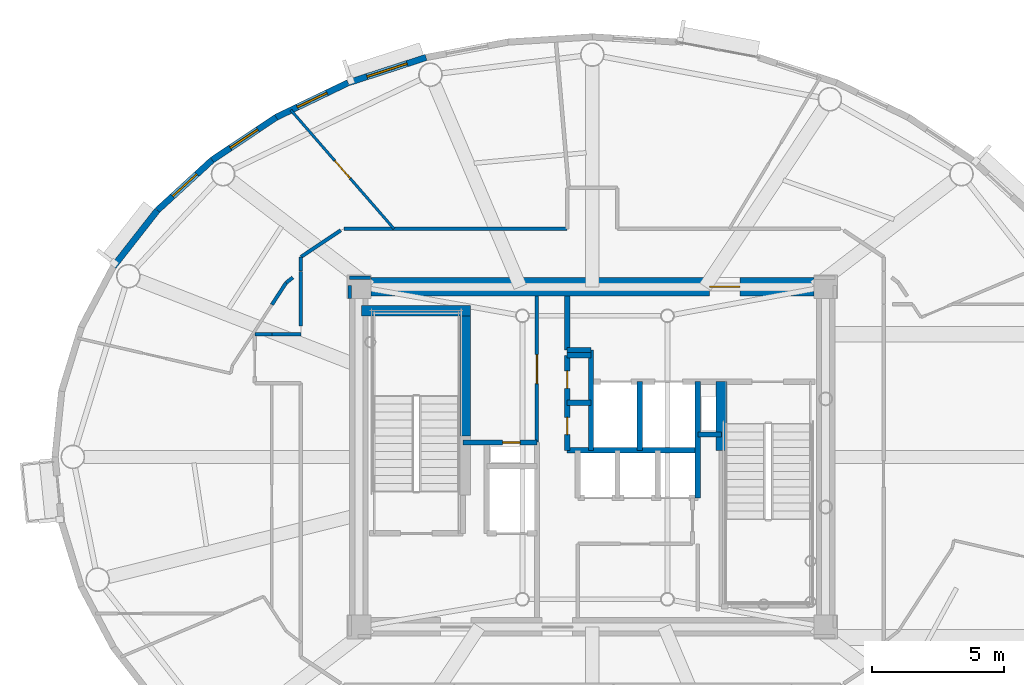
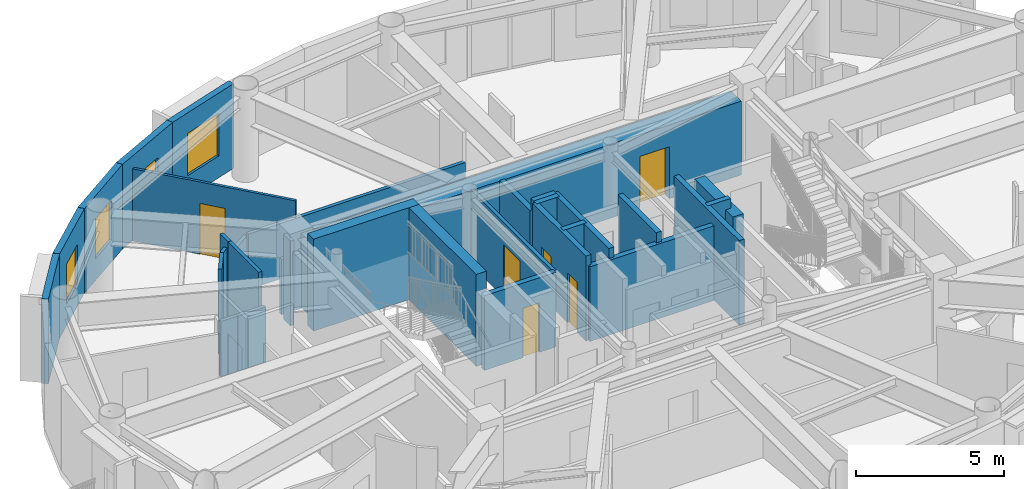
# One storey, part 8 of 16: 32 walls, 6 doors, 4 windows, 10 openings.
"""IFC4 building model written with IfcOpenShell, lengths in metres."""

from ifc_helpers import new_model, si_unit, direction, frame, frame_2d, origin, origin_2d, place, context, subcontext, project, spatial, rectangle, extrude, source, transform, mapped, material, layer, layer_set, type_object, element, fill, save


model = new_model("IFC4")

# Units and contexts
model_context = context("Model", 3, precision=1e-05, world=origin(), true_north=direction((0.0, 1.0)))
body_context = subcontext(model_context, "Body", "Model", "MODEL_VIEW")
ifc_project = project(units=[si_unit("LENGTHUNIT", "METRE"), si_unit("AREAUNIT", "SQUARE_METRE"), si_unit("VOLUMEUNIT", "CUBIC_METRE"), si_unit("PLANEANGLEUNIT", "RADIAN"), si_unit("MASSUNIT", "GRAM", prefix="KILO")], contexts=[model_context])

# Site, building, storey
site_placement = place(None, origin())
site = spatial("IfcSite", under=ifc_project, at=site_placement, CompositionType="ELEMENT")
building_placement = place(site_placement, origin())
building = spatial("IfcBuilding", under=site, at=building_placement, Name="Linh Dai School and Residence Tower", CompositionType="ELEMENT")
storey_placement = place(building_placement, frame((0.0, 0.0, 343.0)))
storey = spatial("IfcBuildingStorey", under=building, at=storey_placement, Name="L85", CompositionType="ELEMENT", Elevation=343.0)

# Wall, opening, window
ifc_material_1 = material(Name="Precast Concrete B45 (C35/45)", Category="concrete")
ifc_layer_1 = layer(ifc_material_1, 0.239990234375)
ifc_layer_set_1 = layer_set([ifc_layer_1], Name="Precast Concrete B45 (C35/45)")
wall_type_1 = type_object("IfcWallType", Name="EW-TC-240", PredefinedType="SOLIDWALL", material=ifc_layer_set_1)
wall_1_placement = place(storey_placement, frame((26.739501953125, 41.18896484375, 0.0), z_axis=(0.0, 0.0, 1.0), x_axis=(0.951212850731, 0.308535431682, 0.0)))
wall_1 = element("IfcWall", 1, at=wall_1_placement, inside=storey, type_object=wall_type_1, Name="L85 Terracotta Exterior Wall 13", PredefinedType="SOLIDWALL", context=body_context, shape_type="SweptSolid", body=[
    extrude(rectangle(XDim=3.108154296875, YDim=0.239990234375, at=frame_2d((1.55419921875, 0.0))), origin(), (0.0, 0.0, 1.0), 3.5),
])
opening_1_placement = place(wall_1_placement, frame((0.754150390625, 0.0, 0.89990234375)))
opening_1 = element("IfcOpeningElement", 2, at=opening_1_placement, cuts=wall_1, Name="Opening W2", PredefinedType="OPENING", context=body_context, shape_type="SweptSolid", body=[
    extrude(rectangle(XDim=1.60009765625, YDim=1.75, at=origin_2d()), frame((0.800048828125, 0.1298828125, 0.875), z_axis=(0.0, -1.0, 0.0), x_axis=(1.0, 0.0, 0.0)), (0.0, 0.0, 1.0), 0.260009765625),
])
ifc_material_2 = material(Name="Double Low-E Insulated Glazing", Category="glass")
window_type_1 = type_object("IfcWindowType", Name="WN-RES-1600x1750", PartitioningType="DOUBLE_PANEL_VERTICAL", PredefinedType="WINDOW", material=ifc_material_2)
shared_shape_1 = source(origin(), body_context, "Body", "SweptSolid", [
    extrude(rectangle(XDim=1.60009765625, YDim=1.75, at=origin_2d()), frame((0.800048828125, 0.030029296875, 0.875), z_axis=(0.0, -1.0, 0.0), x_axis=(1.0, 0.0, 0.0)), (0.0, 0.0, 1.0), 0.06005859375),
])
window_1_placement = place(opening_1_placement, origin())
window_1 = element("IfcWindow", 3, at=window_1_placement, inside=storey, type_object=window_type_1, Name="L85 Exterior Window 13.1", OverallHeight=1.75, OverallWidth=1.60009765625, PartitioningType="DOUBLE_PANEL_VERTICAL", PredefinedType="WINDOW", context=body_context, shape_type="MappedRepresentation", body=[
    mapped(shared_shape_1, transform((0.0, 0.0, 0.0), x_axis=(1.0, 0.0, 0.0), y_axis=(0.0, 1.0, 0.0), z_axis=(0.0, 0.0, 1.0), scale=1.0)),
])
fill(opening_1, window_1)

wall_2_placement = place(storey_placement, frame((24.01220703125, 39.880126953125, 0.0), z_axis=(0.0, 0.0, 1.0), x_axis=(0.901557057889, 0.432660226241, 0.0)))
wall_2 = element("IfcWall", 4, at=wall_2_placement, inside=storey, type_object=wall_type_1, Name="L85 Terracotta Exterior Wall 14", PredefinedType="SOLIDWALL", context=body_context, shape_type="SweptSolid", body=[
    extrude(rectangle(XDim=3.025146484375, YDim=0.239990234375, at=frame_2d((1.5126953125, 0.0))), origin(), (0.0, 0.0, 1.0), 3.5),
])
opening_2_placement = place(wall_2_placement, frame((0.8876953125, 0.0, 0.89990234375)))
opening_2 = element("IfcOpeningElement", 5, at=opening_2_placement, cuts=wall_2, Name="Opening W3", PredefinedType="OPENING", context=body_context, shape_type="SweptSolid", body=[
    extrude(rectangle(XDim=1.25, YDim=1.64990234375, at=origin_2d()), frame((0.625, 0.1298828125, 0.824951171875), z_axis=(0.0, -1.0, 0.0), x_axis=(1.0, 0.0, 0.0)), (0.0, 0.0, 1.0), 0.260009765625),
])
window_type_2 = type_object("IfcWindowType", Name="WN-RES-1250x1650", PartitioningType="SINGLE_PANEL", PredefinedType="WINDOW", material=ifc_material_2)
shared_shape_2 = source(origin(), body_context, "Body", "SweptSolid", [
    extrude(rectangle(XDim=1.25, YDim=1.64990234375, at=origin_2d()), frame((0.625, 0.030029296875, 0.824951171875), z_axis=(0.0, -1.0, 0.0), x_axis=(1.0, 0.0, 0.0)), (0.0, 0.0, 1.0), 0.06005859375),
])
window_2_placement = place(opening_2_placement, origin())
window_2 = element("IfcWindow", 6, at=window_2_placement, inside=storey, type_object=window_type_2, Name="L85 Exterior Window 14.1", OverallHeight=1.64990234375, OverallWidth=1.25, PartitioningType="SINGLE_PANEL", PredefinedType="WINDOW", context=body_context, shape_type="MappedRepresentation", body=[
    mapped(shared_shape_2, transform((0.0, 0.0, 0.0), x_axis=(1.0, 0.0, 0.0), y_axis=(0.0, 1.0, 0.0), z_axis=(0.0, 0.0, 1.0), scale=1.0)),
])
fill(opening_2, window_2)

wall_3_placement = place(storey_placement, frame((21.581298828125, 38.254150390625, 0.0), z_axis=(0.0, 0.0, 1.0), x_axis=(0.831201688654, 0.555970999944, 0.0)))
wall_3 = element("IfcWall", 7, at=wall_3_placement, inside=storey, type_object=wall_type_1, Name="L85 Terracotta Exterior Wall 15", PredefinedType="SOLIDWALL", context=body_context, shape_type="SweptSolid", body=[
    extrude(rectangle(XDim=2.924560546875, YDim=0.239990234375, at=frame_2d((1.46240234375, 0.0))), origin(), (0.0, 0.0, 1.0), 3.5),
])
opening_3_placement = place(wall_3_placement, frame((0.83740234375, 0.0, 0.89990234375)))
opening_3 = element("IfcOpeningElement", 8, at=opening_3_placement, cuts=wall_3, Name="Opening W3", PredefinedType="OPENING", context=body_context, shape_type="SweptSolid", body=[
    extrude(rectangle(XDim=1.25, YDim=1.64990234375, at=origin_2d()), frame((0.625, 0.1298828125, 0.824951171875), z_axis=(0.0, -1.0, 0.0), x_axis=(1.0, 0.0, 0.0)), (0.0, 0.0, 1.0), 0.260009765625),
])
window_3_placement = place(opening_3_placement, origin())
window_3 = element("IfcWindow", 9, at=window_3_placement, inside=storey, type_object=window_type_2, Name="L85 Exterior Window 15.1", OverallHeight=1.64990234375, OverallWidth=1.25, PartitioningType="SINGLE_PANEL", PredefinedType="WINDOW", context=body_context, shape_type="MappedRepresentation", body=[
    mapped(shared_shape_2, transform((0.0, 0.0, 0.0), x_axis=(1.0, 0.0, 0.0), y_axis=(0.0, 1.0, 0.0), z_axis=(0.0, 0.0, 1.0), scale=1.0)),
])
fill(opening_3, window_3)

wall_4_placement = place(storey_placement, frame((19.5068359375, 36.351806640625, 0.0), z_axis=(0.0, 0.0, 1.0), x_axis=(0.737020907932, 0.675869944051, 0.0)))
wall_4 = element("IfcWall", 10, at=wall_4_placement, inside=storey, type_object=wall_type_1, Name="L85 Terracotta Exterior Wall 16", PredefinedType="SOLIDWALL", context=body_context, shape_type="SweptSolid", body=[
    extrude(rectangle(XDim=2.814697265625, YDim=0.239990234375, at=frame_2d((1.4072265625, 0.0))), origin(), (0.0, 0.0, 1.0), 3.5),
])
opening_4_placement = place(wall_4_placement, frame((0.78271484375, 0.0, 0.89990234375)))
opening_4 = element("IfcOpeningElement", 11, at=opening_4_placement, cuts=wall_4, Name="Opening W3", PredefinedType="OPENING", context=body_context, shape_type="SweptSolid", body=[
    extrude(rectangle(XDim=1.25, YDim=1.64990234375, at=origin_2d()), frame((0.625, 0.1298828125, 0.824951171875), z_axis=(0.0, -1.0, 0.0), x_axis=(1.0, 0.0, 0.0)), (0.0, 0.0, 1.0), 0.260009765625),
])
window_4_placement = place(opening_4_placement, origin())
window_4 = element("IfcWindow", 12, at=window_4_placement, inside=storey, type_object=window_type_2, Name="L85 Exterior Window 16.1", OverallHeight=1.64990234375, OverallWidth=1.25, PartitioningType="SINGLE_PANEL", PredefinedType="WINDOW", context=body_context, shape_type="MappedRepresentation", body=[
    mapped(shared_shape_2, transform((0.0, 0.0, 0.0), x_axis=(1.0, 0.0, 0.0), y_axis=(0.0, 1.0, 0.0), z_axis=(0.0, 0.0, 1.0), scale=1.0)),
])
fill(opening_4, window_4)

# Walls
wall_5_placement = place(storey_placement, frame((17.839111328125, 34.220703125, 0.0), z_axis=(0.0, 0.0, 1.0), x_axis=(0.616286367698, 0.78752213492, 0.0)))
element("IfcWall", 13, at=wall_5_placement, inside=storey, type_object=wall_type_1, Name="L85 Terracotta Exterior Wall 17", PredefinedType="SOLIDWALL", context=body_context, shape_type="SweptSolid", body=[
    extrude(rectangle(XDim=2.7060546875, YDim=0.239990234375, at=frame_2d((1.35302734375, 0.0))), origin(), (0.0, 0.0, 1.0), 3.5),
])
ifc_material_3 = material(Name="Autoclaved Aerated Concrete Blockwork", Category="masonry")
ifc_layer_2 = layer(ifc_material_3, 0.135009765625)
ifc_layer_set_2 = layer_set([ifc_layer_2], Name="Autoclaved Aerated Concrete Blockwork")
wall_type_2 = type_object("IfcWallType", Name="IW-CORR-135-EI90", PredefinedType="PARTITIONING", material=ifc_layer_set_2)
wall_6_placement = place(storey_placement, frame((23.199951171875, 31.64990234375, 0.0), z_axis=(0.0, 0.0, 1.0), x_axis=(1.0, 0.0, 0.0)))
element("IfcWall", 14, at=wall_6_placement, inside=storey, type_object=wall_type_2, Name="L85 Interior Partition Wall 008", PredefinedType="PARTITIONING", context=body_context, shape_type="SweptSolid", body=[
    extrude(rectangle(XDim=0.64599609375, YDim=0.135009765625, at=frame_2d((0.322998046875, 0.0))), origin(), (0.0, 0.0, 1.0), 2.284912109375),
])
wall_7_placement = place(storey_placement, frame((24.949951171875, 34.0439453125, 0.0), z_axis=(0.0, 0.0, 1.0), x_axis=(0.0, 1.0, 0.0)))
element("IfcWall", 15, at=wall_7_placement, inside=storey, type_object=wall_type_2, Name="L85 Interior Partition Wall 015", PredefinedType="PARTITIONING", context=body_context, shape_type="SweptSolid", body=[
    extrude(rectangle(XDim=0.53857421875, YDim=0.135009765625, at=frame_2d((0.269287109375, 0.0))), origin(), (0.0, 0.0, 1.0), 3.5),
])
wall_8_placement = place(storey_placement, frame((24.949951171875, 34.58251953125, 0.0), z_axis=(0.0, 0.0, 1.0), x_axis=(0.831180227396, 0.556003084151, 0.0)))
element("IfcWall", 16, at=wall_8_placement, inside=storey, type_object=wall_type_2, Name="L85 Interior Partition Wall 016", PredefinedType="PARTITIONING", context=body_context, shape_type="SweptSolid", body=[
    extrude(rectangle(XDim=1.815185546875, YDim=0.135009765625, at=frame_2d((0.90771484375, 0.0))), origin(), (0.0, 0.0, 1.0), 2.284912109375),
])
wall_9_placement = place(storey_placement, frame((26.580078125, 35.64990234375, 0.0), z_axis=(0.0, 0.0, 1.0), x_axis=(1.0, 0.0, 0.0)))
element("IfcWall", 17, at=wall_9_placement, inside=storey, type_object=wall_type_2, Name="L85 Interior Partition Wall 018", PredefinedType="PARTITIONING", context=body_context, shape_type="SweptSolid", body=[
    extrude(rectangle(XDim=8.469970703125, YDim=0.135009765625, at=frame_2d((4.23486328125, 0.0))), origin(), (0.0, 0.0, 1.0), 2.284912109375),
])

# Wall, opening, door
wall_10_placement = place(storey_placement, frame((33.89990234375, 27.56005859375, 0.0), z_axis=(0.0, 0.0, 1.0), x_axis=(0.0, 1.0, 0.0)))
wall_10 = element("IfcWall", 18, at=wall_10_placement, inside=storey, type_object=wall_type_2, Name="L85 Interior Partition Wall 027", PredefinedType="PARTITIONING", context=body_context, shape_type="SweptSolid", body=[
    extrude(rectangle(XDim=5.5400390625, YDim=0.135009765625, at=frame_2d((2.77001953125, 0.0))), origin(), (0.0, 0.0, 1.0), 3.0849609375),
])
opening_5_placement = place(wall_10_placement, frame((2.219970703125, 0.0, 0.0)))
opening_5 = element("IfcOpeningElement", 19, at=opening_5_placement, cuts=wall_10, Name="Opening D07", PredefinedType="OPENING", context=body_context, shape_type="SweptSolid", body=[
    extrude(rectangle(XDim=1.10009765625, YDim=2.14990234375, at=origin_2d()), frame((0.550048828125, 0.07763671875, 1.074951171875), z_axis=(0.0, -1.0, 0.0), x_axis=(1.0, 0.0, 0.0)), (0.0, 0.0, 1.0), 0.155029296875),
])
ifc_material_4 = material(Name="Fire-Rated Louvred Steel Plant Door", Category="steel")
door_type_1 = type_object("IfcDoorType", Name="DR-PLT-1100x2150-FD60S", OperationType="NOTDEFINED", PredefinedType="DOOR", material=ifc_material_4)
shared_shape_3 = source(origin(), body_context, "Body", "SweptSolid", [
    extrude(rectangle(XDim=1.10009765625, YDim=2.14990234375, at=origin_2d()), frame((0.550048828125, 0.02490234375, 1.074951171875), z_axis=(0.0, -1.0, 0.0), x_axis=(1.0, 0.0, 0.0)), (0.0, 0.0, 1.0), 0.050048828125),
])
door_1_placement = place(opening_5_placement, origin())
door_1 = element("IfcDoor", 20, at=door_1_placement, inside=storey, type_object=door_type_1, Name="L85 High-Zone Housekeeping Suite Door", OperationType="SINGLE_SWING_RIGHT", OverallHeight=2.14990234375, OverallWidth=1.10009765625, PredefinedType="DOOR", context=body_context, shape_type="MappedRepresentation", body=[
    mapped(shared_shape_3, transform((0.0, 0.0, 0.0), x_axis=(1.0, 0.0, 0.0), y_axis=(0.0, 1.0, 0.0), z_axis=(0.0, 0.0, 1.0), scale=1.0)),
])
fill(opening_5, door_1)

# Walls
wall_11_placement = place(storey_placement, frame((23.85595703125, 31.64990234375, 0.0), z_axis=(0.0, 0.0, 1.0), x_axis=(1.0, 0.0, 0.0)))
element("IfcWall", 21, at=wall_11_placement, inside=storey, type_object=wall_type_2, Name="L85 Interior Partition Wall 070", PredefinedType="PARTITIONING", context=body_context, shape_type="SweptSolid", body=[
    extrude(rectangle(XDim=1.093994140625, YDim=0.135009765625, at=frame_2d((0.546875, 0.0))), origin(), (0.0, 0.0, 1.0), 2.284912109375),
])
wall_12_placement = place(storey_placement, frame((24.949951171875, 31.95751953125, 0.0), z_axis=(0.0, 0.0, 1.0), x_axis=(0.0, 1.0, 0.0)))
element("IfcWall", 22, at=wall_12_placement, inside=storey, type_object=wall_type_2, Name="L85 Interior Partition Wall 071", PredefinedType="PARTITIONING", context=body_context, shape_type="SweptSolid", body=[
    extrude(rectangle(XDim=2.076416015625, YDim=0.135009765625, at=frame_2d((1.0380859375, 0.0))), origin(), (0.0, 0.0, 1.0), 3.5),
])
wall_13_placement = place(storey_placement, frame((27.590087890625, 33.800048828125, 0.0), z_axis=(0.0, 0.0, 1.0), x_axis=(-1.0, 0.0, 0.0)))
element("IfcWall", 23, at=wall_13_placement, inside=storey, type_object=wall_type_2, Name="L85 Interior Partition Wall 074", PredefinedType="PARTITIONING", context=body_context, shape_type="SweptSolid", body=[
    extrude(rectangle(XDim=0.7900390625, YDim=0.135009765625, at=frame_2d((0.39501953125, 0.0))), origin(), (0.0, 0.0, 1.0), 2.284912109375),
])
wall_14_placement = place(storey_placement, frame((26.800048828125, 33.492431640625, 0.0), z_axis=(0.0, 0.0, 1.0), x_axis=(0.0, -1.0, 0.0)))
element("IfcWall", 24, at=wall_14_placement, inside=storey, type_object=wall_type_2, Name="L85 Interior Partition Wall 075", PredefinedType="PARTITIONING", context=body_context, shape_type="SweptSolid", body=[
    extrude(rectangle(XDim=0.482421875, YDim=0.135009765625, at=frame_2d((0.2412109375, 0.0))), origin(), (0.0, 0.0, 1.0), 3.5),
])
wall_15_placement = place(storey_placement, frame((24.642578125, 33.802978515625, 0.0), z_axis=(0.0, 0.0, 1.0), x_axis=(-0.787376183758, -0.616472826043, 0.0)))
element("IfcWall", 25, at=wall_15_placement, inside=storey, type_object=wall_type_2, Name="L85 Interior Partition Wall 081", PredefinedType="PARTITIONING", context=body_context, shape_type="SweptSolid", body=[
    extrude(rectangle(XDim=0.320068359375, YDim=0.135009765625, at=frame_2d((0.16015625, 0.0))), origin(), (0.0, 0.0, 1.0), 3.5),
])
wall_16_placement = place(storey_placement, frame((24.390625, 33.605712890625, 0.0), z_axis=(0.0, 0.0, 1.0), x_axis=(-0.545318185568, -0.838229131258, 0.0)))
element("IfcWall", 26, at=wall_16_placement, inside=storey, type_object=wall_type_2, Name="L85 Interior Partition Wall 082", PredefinedType="PARTITIONING", context=body_context, shape_type="SweptSolid", body=[
    extrude(rectangle(XDim=0.988525390625, YDim=0.135009765625, at=frame_2d((0.494140625, 0.0))), origin(), (0.0, 0.0, 1.0), 3.5),
])

# Wall, opening, door
ifc_material_5 = material(Name="Concrete B45 (C35/45)", Category="concrete")
ifc_layer_3 = layer(ifc_material_5, 0.199951171875)
ifc_layer_set_3 = layer_set([ifc_layer_3], Name="Concrete B45 (C35/45)")
wall_type_3 = type_object("IfcWallType", Name="IW-SHAFT-200-EI120", PredefinedType="PARTITIONING", material=ifc_layer_set_3)
wall_17_placement = place(storey_placement, frame((31.10009765625, 27.550048828125, 0.0), z_axis=(0.0, 0.0, 1.0), x_axis=(1.0, 0.0, 0.0)))
wall_17 = element("IfcWall", 27, at=wall_17_placement, inside=storey, type_object=wall_type_3, Name="L85 Interior Partition Wall 022", PredefinedType="PARTITIONING", context=body_context, shape_type="SweptSolid", body=[
    extrude(rectangle(XDim=2.7998046875, YDim=0.199951171875, at=frame_2d((1.39990234375, 0.0))), origin(), (0.0, 0.0, 1.0), 3.0849609375),
])
opening_6_placement = place(wall_17_placement, frame((1.5, 0.0, 0.0)))
opening_6 = element("IfcOpeningElement", 28, at=opening_6_placement, cuts=wall_17, Name="Opening AD1", PredefinedType="OPENING", context=body_context, shape_type="SweptSolid", body=[
    extrude(rectangle(XDim=0.659912109375, YDim=2.050048828125, at=origin_2d()), frame((0.330078125, 0.10986328125, 1.02490234375), z_axis=(0.0, -1.0, 0.0), x_axis=(1.0, 0.0, 0.0)), (0.0, 0.0, 1.0), 0.219970703125),
])
ifc_material_6 = material(Name="Fire-Rated Steel Riser Access Door", Category="steel")
door_type_2 = type_object("IfcDoorType", Name="DR-ACC-660x2050-FD90S", OperationType="NOTDEFINED", PredefinedType="USERDEFINED", material=ifc_material_6)
shared_shape_4 = source(origin(), body_context, "Body", "SweptSolid", [
    extrude(rectangle(XDim=0.659912109375, YDim=2.050048828125, at=origin_2d()), frame((0.330078125, 0.02490234375, 1.02490234375), z_axis=(0.0, -1.0, 0.0), x_axis=(1.0, 0.0, 0.0)), (0.0, 0.0, 1.0), 0.050048828125),
])
door_2_placement = place(opening_6_placement, origin())
door_2 = element("IfcDoor", 29, at=door_2_placement, inside=storey, type_object=door_type_2, Name="L85 Main Electrical Riser Access Door", ObjectType="ACCESS DOOR", OperationType="SINGLE_SWING_RIGHT", OverallHeight=2.050048828125, OverallWidth=0.659912109375, PredefinedType="USERDEFINED", context=body_context, shape_type="MappedRepresentation", body=[
    mapped(shared_shape_4, transform((0.0, 0.0, 0.0), x_axis=(1.0, 0.0, 0.0), y_axis=(0.0, 1.0, 0.0), z_axis=(0.0, 0.0, 1.0), scale=1.0)),
])
fill(opening_6, door_2)

# Wall, openings, doors
wall_18_placement = place(storey_placement, frame((35.050048828125, 27.25, 0.0), z_axis=(0.0, 0.0, 1.0), x_axis=(0.0, 1.0, 0.0)))
wall_18 = element("IfcWall", 30, at=wall_18_placement, inside=storey, type_object=wall_type_3, Name="L85 Interior Partition Wall 029", PredefinedType="PARTITIONING", context=body_context, shape_type="SweptSolid", body=[
    extrude(rectangle(XDim=3.60009765625, YDim=0.199951171875, at=frame_2d((1.800048828125, 0.0))), origin(), (0.0, 0.0, 1.0), 3.5),
])
opening_7_placement = place(wall_18_placement, frame((0.590087890625, 0.0, 0.0)))
opening_7 = element("IfcOpeningElement", 31, at=opening_7_placement, cuts=wall_18, Name="Opening AD1", PredefinedType="OPENING", context=body_context, shape_type="SweptSolid", body=[
    extrude(rectangle(XDim=0.659912109375, YDim=2.050048828125, at=origin_2d()), frame((0.330078125, 0.10986328125, 1.02490234375), z_axis=(0.0, -1.0, 0.0), x_axis=(1.0, 0.0, 0.0)), (0.0, 0.0, 1.0), 0.219970703125),
])
opening_8_placement = place(wall_18_placement, frame((2.35009765625, 0.0, 0.0)))
opening_8 = element("IfcOpeningElement", 32, at=opening_8_placement, cuts=wall_18, Name="Opening AD1", PredefinedType="OPENING", context=body_context, shape_type="SweptSolid", body=[
    extrude(rectangle(XDim=0.659912109375, YDim=2.050048828125, at=origin_2d()), frame((0.330078125, 0.10986328125, 1.02490234375), z_axis=(0.0, -1.0, 0.0), x_axis=(1.0, 0.0, 0.0)), (0.0, 0.0, 1.0), 0.219970703125),
])
door_3_placement = place(opening_7_placement, origin())
door_3 = element("IfcDoor", 33, at=door_3_placement, inside=storey, type_object=door_type_2, Name="L85 Telecom and Data Riser Access Door", ObjectType="ACCESS DOOR", OperationType="SINGLE_SWING_LEFT", OverallHeight=2.050048828125, OverallWidth=0.659912109375, PredefinedType="USERDEFINED", context=body_context, shape_type="MappedRepresentation", body=[
    mapped(shared_shape_4, transform((0.0, 0.0, 0.0), x_axis=(1.0, 0.0, 0.0), y_axis=(0.0, 1.0, 0.0), z_axis=(0.0, 0.0, 1.0), scale=1.0)),
])
fill(opening_7, door_3)
door_4_placement = place(opening_8_placement, origin())
door_4 = element("IfcDoor", 34, at=door_4_placement, inside=storey, type_object=door_type_2, Name="L85 Mechanical and Plumbing Riser Access Door", ObjectType="ACCESS DOOR", OperationType="SINGLE_SWING_RIGHT", OverallHeight=2.050048828125, OverallWidth=0.659912109375, PredefinedType="USERDEFINED", context=body_context, shape_type="MappedRepresentation", body=[
    mapped(shared_shape_4, transform((0.0, 0.0, 0.0), x_axis=(1.0, 0.0, 0.0), y_axis=(0.0, 1.0, 0.0), z_axis=(0.0, 0.0, 1.0), scale=1.0)),
])
fill(opening_8, door_4)

# Walls
wall_19_placement = place(storey_placement, frame((35.050048828125, 27.25, 0.0), z_axis=(0.0, 0.0, 1.0), x_axis=(1.0, 0.0, 0.0)))
element("IfcWall", 35, at=wall_19_placement, inside=storey, type_object=wall_type_3, Name="L85 Interior Partition Wall 030", PredefinedType="PARTITIONING", context=body_context, shape_type="SweptSolid", body=[
    extrude(rectangle(XDim=4.949951171875, YDim=0.199951171875, at=frame_2d((2.47509765625, 0.0))), origin(), (0.0, 0.0, 1.0), 3.0849609375),
])
for number, where, z_axis, x_axis, name in (
    (36, (35.050048828125, 29.050048828125, 0.0), (0.0, 0.0, 1.0), (1.0, 0.0, 0.0), "L85 Interior Partition Wall 031"),
    (37, (35.050048828125, 30.85009765625, 0.0), (0.0, 0.0, 1.0), (1.0, 0.0, 0.0), "L85 Interior Partition Wall 032"),
):
    element("IfcWall", number, at=place(storey_placement, frame(where, z_axis=z_axis, x_axis=x_axis)), inside=storey, type_object=wall_type_3, Name=name, PredefinedType="PARTITIONING", context=body_context, shape_type="SweptSolid", body=[
        extrude(rectangle(XDim=0.89990234375, YDim=0.199951171875, at=frame_2d((0.449951171875, 0.0))), origin(), (0.0, 0.0, 1.0), 3.5),
    ])
wall_20_placement = place(storey_placement, frame((35.050048828125, 31.050048828125, 0.0), z_axis=(0.0, 0.0, 1.0), x_axis=(0.0, 1.0, 0.0)))
element("IfcWall", 38, at=wall_20_placement, inside=storey, type_object=wall_type_3, Name="L85 Interior Partition Wall 033", PredefinedType="PARTITIONING", context=body_context, shape_type="SweptSolid", body=[
    extrude(rectangle(XDim=2.050048828125, YDim=0.199951171875, at=frame_2d((1.02490234375, 0.0))), origin(), (0.0, 0.0, 1.0), 3.0849609375),
])
wall_21_placement = place(storey_placement, frame((35.050048828125, 31.050048828125, 0.0), z_axis=(0.0, 0.0, 1.0), x_axis=(1.0, 0.0, 0.0)))
element("IfcWall", 39, at=wall_21_placement, inside=storey, type_object=wall_type_3, Name="L85 Interior Partition Wall 034", PredefinedType="PARTITIONING", context=body_context, shape_type="SweptSolid", body=[
    extrude(rectangle(XDim=0.89990234375, YDim=0.199951171875, at=frame_2d((0.449951171875, 0.0))), origin(), (0.0, 0.0, 1.0), 3.5),
])
wall_22_placement = place(storey_placement, frame((35.949951171875, 27.25, 0.0), z_axis=(0.0, 0.0, 1.0), x_axis=(0.0, 1.0, 0.0)))
element("IfcWall", 40, at=wall_22_placement, inside=storey, type_object=wall_type_3, Name="L85 Interior Partition Wall 041", PredefinedType="PARTITIONING", context=body_context, shape_type="SweptSolid", body=[
    extrude(rectangle(XDim=3.800048828125, YDim=0.199951171875, at=frame_2d((1.89990234375, 0.0))), origin(), (0.0, 0.0, 1.0), 3.5),
])
wall_23_placement = place(storey_placement, frame((37.800048828125, 27.25, 0.0), z_axis=(0.0, 0.0, 1.0), x_axis=(0.0, 1.0, 0.0)))
element("IfcWall", 41, at=wall_23_placement, inside=storey, type_object=wall_type_3, Name="L85 Interior Partition Wall 047", PredefinedType="PARTITIONING", context=body_context, shape_type="SweptSolid", body=[
    extrude(rectangle(XDim=2.60009765625, YDim=0.199951171875, at=frame_2d((1.300048828125, 0.0))), origin(), (0.0, 0.0, 1.0), 3.5),
])
wall_24_placement = place(storey_placement, frame((40.0, 25.449951171875, 0.0), z_axis=(0.0, 0.0, 1.0), x_axis=(0.0, 1.0, 0.0)))
element("IfcWall", 42, at=wall_24_placement, inside=storey, type_object=wall_type_3, Name="L85 Interior Partition Wall 050", PredefinedType="PARTITIONING", context=body_context, shape_type="SweptSolid", body=[
    extrude(rectangle(XDim=4.400146484375, YDim=0.199951171875, at=frame_2d((2.2001953125, 0.0))), origin(), (0.0, 0.0, 1.0), 3.5),
])
wall_25_placement = place(storey_placement, frame((40.0, 27.85009765625, 0.0), z_axis=(0.0, 0.0, 1.0), x_axis=(1.0, 0.0, 0.0)))
element("IfcWall", 43, at=wall_25_placement, inside=storey, type_object=wall_type_3, Name="L85 Interior Partition Wall 051", PredefinedType="PARTITIONING", context=body_context, shape_type="SweptSolid", body=[
    extrude(rectangle(XDim=0.89990234375, YDim=0.199951171875, at=frame_2d((0.449951171875, 0.0))), origin(), (0.0, 0.0, 1.0), 3.5),
])

# Wall, opening, door
ifc_material_7 = material(Name="Gypsum Plasterboard Acoustic Stud Partition", Category="masonry")
ifc_layer_4 = layer(ifc_material_7, 0.10009765625)
ifc_layer_set_4 = layer_set([ifc_layer_4], Name="Gypsum Plasterboard Acoustic Stud Partition")
wall_type_4 = type_object("IfcWallType", Name="IW-UNIT-100", PredefinedType="PARTITIONING", material=ifc_layer_set_4)
wall_26_placement = place(storey_placement, frame((24.567138671875, 40.152099609375, 0.0), z_axis=(0.0, 0.0, 1.0), x_axis=(0.656046983359, -0.754720051162, 0.0)))
wall_26 = element("IfcWall", 44, at=wall_26_placement, inside=storey, type_object=wall_type_4, Name="L85 Interior Partition Wall 012", PredefinedType="PARTITIONING", context=body_context, shape_type="SweptSolid", body=[
    extrude(rectangle(XDim=5.96533203125, YDim=0.10009765625, at=frame_2d((2.982666015625, 0.0))), origin(), (0.0, 0.0, 1.0), 2.985107421875),
])
opening_9_placement = place(wall_26_placement, frame((2.53271484375, 0.0, 0.0)))
opening_9 = element("IfcOpeningElement", 45, at=opening_9_placement, cuts=wall_26, Name="Opening D05", PredefinedType="OPENING", context=body_context, shape_type="SweptSolid", body=[
    extrude(rectangle(XDim=0.89990234375, YDim=2.10009765625, at=origin_2d()), frame((0.449951171875, 0.06005859375, 1.050048828125), z_axis=(0.0, -1.0, 0.0), x_axis=(1.0, 0.0, 0.0)), (0.0, 0.0, 1.0), 0.1201171875),
])
ifc_material_8 = material(Name="Engineered Timber Internal Door", Category="wood")
door_type_3 = type_object("IfcDoorType", Name="DR-INT-900x2100", OperationType="NOTDEFINED", PredefinedType="DOOR", material=ifc_material_8)
shared_shape_5 = source(origin(), body_context, "Body", "SweptSolid", [
    extrude(rectangle(XDim=0.89990234375, YDim=2.10009765625, at=origin_2d()), frame((0.449951171875, 0.02490234375, 1.050048828125), z_axis=(0.0, -1.0, 0.0), x_axis=(1.0, 0.0, 0.0)), (0.0, 0.0, 1.0), 0.050048828125),
])
door_5_placement = place(opening_9_placement, origin())
door_5 = element("IfcDoor", 46, at=door_5_placement, inside=storey, type_object=door_type_3, Name="L85 Apartment U8501 Principal Bedroom 1 Door", OperationType="SINGLE_SWING_LEFT", OverallHeight=2.10009765625, OverallWidth=0.89990234375, PredefinedType="DOOR", context=body_context, shape_type="MappedRepresentation", body=[
    mapped(shared_shape_5, transform((0.0, 0.0, 0.0), x_axis=(1.0, 0.0, 0.0), y_axis=(0.0, 1.0, 0.0), z_axis=(0.0, 0.0, 1.0), scale=1.0)),
])
fill(opening_9, door_5)

# Walls
ifc_layer_5 = layer(ifc_material_5, 0.39990234375)
ifc_layer_set_5 = layer_set([ifc_layer_5], Name="Concrete B45 (C35/45)")
wall_type_5 = type_object("IfcWallType", Name="WL-CORE400", PredefinedType="SHEAR", material=ifc_layer_set_5)
wall_27_placement = place(storey_placement, frame((31.179931640625, 27.800048828125, 0.0), z_axis=(0.0, 0.0, 1.0), x_axis=(0.0, 1.0, 0.0)))
element("IfcWall", 47, at=wall_27_placement, inside=storey, type_object=wall_type_5, Name="L85 Core Stair ST1 Bearing Wall E", PredefinedType="SHEAR", context=body_context, shape_type="SweptSolid", body=[
    extrude(rectangle(XDim=4.75, YDim=0.39990234375, at=frame_2d((2.375, 0.0))), origin(), (0.0, 0.0, 1.0), 3.800048828125),
])
wall_28_placement = place(storey_placement, frame((27.25, 32.550048828125, 0.0), z_axis=(0.0, 0.0, 1.0), x_axis=(1.0, 0.0, 0.0)))
element("IfcWall", 48, at=wall_28_placement, inside=storey, type_object=wall_type_5, Name="L85 Core Stair ST1 Bearing Wall N", PredefinedType="SHEAR", context=body_context, shape_type="SweptSolid", body=[
    extrude(rectangle(XDim=4.1298828125, YDim=0.39990234375, at=frame_2d((2.06494140625, 0.0))), origin(), (0.0, 0.0, 1.0), 3.800048828125),
])
wall_29_placement = place(storey_placement, frame((40.89990234375, 27.25, 0.0), z_axis=(0.0, 0.0, 1.0), x_axis=(0.0, 1.0, 0.0)))
element("IfcWall", 49, at=wall_29_placement, inside=storey, type_object=wall_type_5, Name="L85 Internal Core Shear Wall IE", PredefinedType="SHEAR", context=body_context, shape_type="SweptSolid", body=[
    extrude(rectangle(XDim=2.60009765625, YDim=0.39990234375, at=frame_2d((1.300048828125, 0.0))), origin(), (0.0, 0.0, 1.0), 3.10009765625),
])

# Wall, opening, door
ifc_layer_6 = layer(ifc_material_5, 0.699951171875)
ifc_layer_set_6 = layer_set([ifc_layer_6], Name="Concrete B45 (C35/45)")
wall_type_6 = type_object("IfcWallType", Name="WL-CORE700", PredefinedType="SHEAR", material=ifc_layer_set_6)
wall_30_placement = place(storey_placement, frame((27.60009765625, 33.449951171875, 0.0), z_axis=(0.0, 0.0, 1.0), x_axis=(1.0, 0.0, 0.0)))
wall_30 = element("IfcWall", 50, at=wall_30_placement, inside=storey, type_object=wall_type_6, Name="L85 Central Core Shear Wall N", PredefinedType="SHEAR", context=body_context, shape_type="SweptSolid", body=[
    extrude(rectangle(XDim=16.7998046875, YDim=0.699951171875, at=frame_2d((8.39990234375, 0.0))), origin(), (0.0, 0.0, 1.0), 3.050048828125),
])
opening_10_placement = place(wall_30_placement, frame((12.85009765625, 0.0, 0.0)))
opening_10 = element("IfcOpeningElement", 51, at=opening_10_placement, cuts=wall_30, Name="Opening D02", PredefinedType="OPENING", context=body_context, shape_type="SweptSolid", body=[
    extrude(rectangle(XDim=1.14990234375, YDim=2.14990234375, at=origin_2d()), frame((0.574951171875, 0.35986328125, 1.074951171875), z_axis=(0.0, -1.0, 0.0), x_axis=(1.0, 0.0, 0.0)), (0.0, 0.0, 1.0), 0.719970703125),
])
ifc_material_9 = material(Name="Fire-Rated Glazed Steel Lobby Door", Category="steel")
door_type_4 = type_object("IfcDoorType", Name="DR-LOBBY-1150x2150-FD90S", OperationType="NOTDEFINED", PredefinedType="DOOR", material=ifc_material_9)
shared_shape_6 = source(origin(), body_context, "Body", "SweptSolid", [
    extrude(rectangle(XDim=1.14990234375, YDim=2.14990234375, at=origin_2d()), frame((0.574951171875, 0.02490234375, 1.074951171875), z_axis=(0.0, -1.0, 0.0), x_axis=(1.0, 0.0, 0.0)), (0.0, 0.0, 1.0), 0.050048828125),
])
door_6_placement = place(opening_10_placement, origin())
door_6 = element("IfcDoor", 52, at=door_6_placement, inside=storey, type_object=door_type_4, Name="L85 Firefighting Lobby Door", OperationType="SINGLE_SWING_LEFT", OverallHeight=2.14990234375, OverallWidth=1.14990234375, PredefinedType="DOOR", context=body_context, shape_type="MappedRepresentation", body=[
    mapped(shared_shape_6, transform((0.0, 0.0, 0.0), x_axis=(1.0, 0.0, 0.0), y_axis=(0.0, 1.0, 0.0), z_axis=(0.0, 0.0, 1.0), scale=1.0)),
])
fill(opening_10, door_6)

save(model, "model.ifc")
